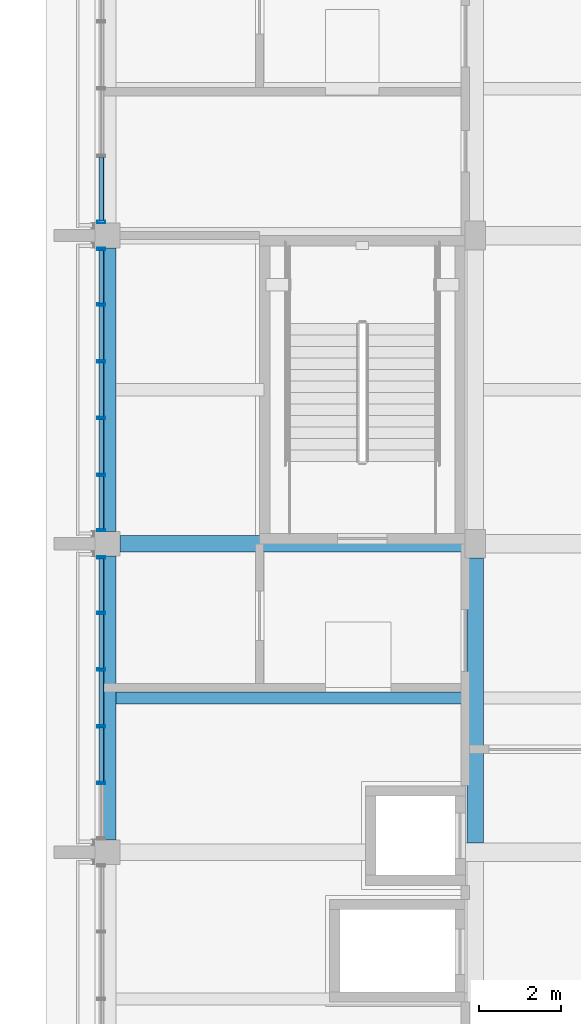
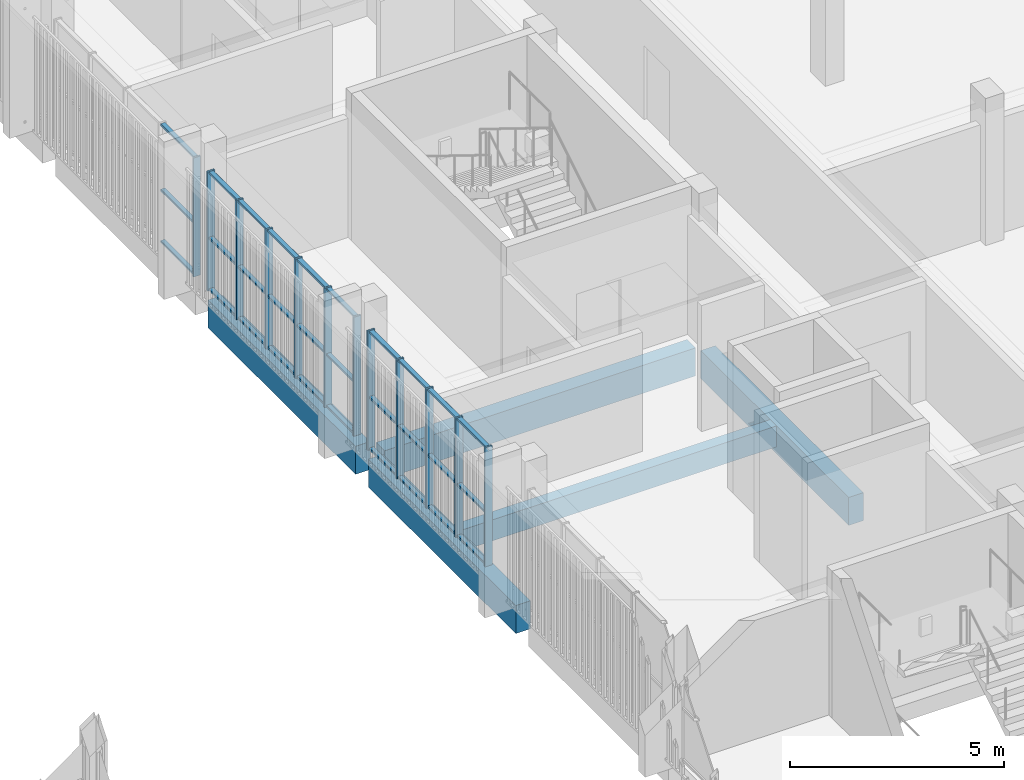
# One storey, part 32 of 92: 42 members, 5 beams, 3 elements without a shape of their own.
"""IFC4 building model written with IfcOpenShell, lengths in metres."""

from ifc_helpers import new_model, si_unit, direction, frame, origin, origin_2d, place, context, subcontext, project, spatial, rectangle, hollow_rectangle, extrude, material, material_profile, profile_set, type_object, element, aggregate, save


model = new_model("IFC4")

# Units and contexts
model_context = context("Model", 3, precision=1e-05, world=origin(), true_north=direction((0.0, 1.0)))
body_context = subcontext(model_context, "Body", "Model", "MODEL_VIEW")
ifc_project = project(units=[si_unit("LENGTHUNIT", "METRE"), si_unit("AREAUNIT", "SQUARE_METRE"), si_unit("VOLUMEUNIT", "CUBIC_METRE"), si_unit("PLANEANGLEUNIT", "RADIAN"), si_unit("MASSUNIT", "GRAM", prefix="KILO")], contexts=[model_context])

# Site, building, storey
site_placement = place(None, origin())
site = spatial("IfcSite", under=ifc_project, at=site_placement, CompositionType="ELEMENT")
building_placement = place(site_placement, origin())
building = spatial("IfcBuilding", under=site, at=building_placement, Name="Sun Court Science Centre", CompositionType="ELEMENT")
storey_placement = place(building_placement, frame((0.0, 0.0, 11.25)))
storey = spatial("IfcBuildingStorey", under=building, at=storey_placement, Name="L02", CompositionType="ELEMENT", Elevation=11.25)

# Curtain wall, members
ifc_material_1 = material(Name="Aluminium EN AW-6063 T6", Category="aluminium")
curtain_wall_type = type_object("IfcCurtainWallType", Name="Laboratory tall bay curtain wall 1500", PredefinedType="NOTDEFINED", material=ifc_material_1)
curtain_wall_1_placement = place(storey_placement, origin())
curtain_wall_1 = element("IfcCurtainWall", 1, at=curtain_wall_1_placement, inside=storey, type_object=curtain_wall_type, Name="Curtain wall V4 W L02 06", PredefinedType="NOTDEFINED")
ifc_material_2 = material(Name="Aluminium EN AW-6063 T6", Category="aluminium")
ifc_material_profile_1 = material_profile(ifc_material_2, hollow_rectangle(XDim=0.06005859375, YDim=0.199951171875, WallThickness=0.0048828125, InnerFilletRadius=0.0048828125, OuterFilletRadius=0.007568359375, at=origin_2d()), Name="AL 60x200x5")
ifc_profile_set_1 = profile_set([ifc_material_profile_1], Name="Aluminium EN AW-6063 T6")
member_type_1 = type_object("IfcMemberType", Name="Curtain wall mullion AL 60x200", PredefinedType="MULLION", material=ifc_profile_set_1)
member_1_placement = place(storey_placement, frame((78.14990234375, 52.679931640625, 0.0), z_axis=(0.0, 0.0, 1.0), x_axis=(0.0, 1.0, 0.0)))
member_1 = element("IfcMember", 2, at=member_1_placement, type_object=member_type_1, Name="CW2-24 mullion 2", PredefinedType="MULLION", context=body_context, shape_type="SweptSolid", body=[
    extrude(hollow_rectangle(XDim=0.06005859375, YDim=0.199951171875, WallThickness=0.0048828125, InnerFilletRadius=0.0048828125, OuterFilletRadius=0.007568359375, at=origin_2d()), origin(), (0.0, 0.0, 1.0), 3.39990234375),
])
member_2_placement = place(storey_placement, frame((78.14990234375, 54.06005859375, 0.0), z_axis=(0.0, 0.0, 1.0), x_axis=(0.0, 1.0, 0.0)))
member_2 = element("IfcMember", 3, at=member_2_placement, type_object=member_type_1, Name="CW2-24 mullion 3", PredefinedType="MULLION", context=body_context, shape_type="SweptSolid", body=[
    extrude(hollow_rectangle(XDim=0.06005859375, YDim=0.199951171875, WallThickness=0.0048828125, InnerFilletRadius=0.0048828125, OuterFilletRadius=0.007568359375, at=origin_2d()), origin(), (0.0, 0.0, 1.0), 3.39990234375),
])
member_3_placement = place(storey_placement, frame((78.14990234375, 55.43994140625, 0.0), z_axis=(0.0, 0.0, 1.0), x_axis=(0.0, 1.0, 0.0)))
member_3 = element("IfcMember", 4, at=member_3_placement, type_object=member_type_1, Name="CW2-24 mullion 4", PredefinedType="MULLION", context=body_context, shape_type="SweptSolid", body=[
    extrude(hollow_rectangle(XDim=0.06005859375, YDim=0.199951171875, WallThickness=0.0048828125, InnerFilletRadius=0.0048828125, OuterFilletRadius=0.007568359375, at=origin_2d()), origin(), (0.0, 0.0, 1.0), 3.39990234375),
])
member_4_placement = place(storey_placement, frame((78.14990234375, 56.820068359375, 0.0), z_axis=(0.0, 0.0, 1.0), x_axis=(0.0, 1.0, 0.0)))
member_4 = element("IfcMember", 5, at=member_4_placement, type_object=member_type_1, Name="CW2-24 mullion 5", PredefinedType="MULLION", context=body_context, shape_type="SweptSolid", body=[
    extrude(hollow_rectangle(XDim=0.06005859375, YDim=0.199951171875, WallThickness=0.0048828125, InnerFilletRadius=0.0048828125, OuterFilletRadius=0.007568359375, at=origin_2d()), origin(), (0.0, 0.0, 1.0), 3.39990234375),
])
member_5_placement = place(storey_placement, frame((78.14990234375, 58.169921875, 0.0), z_axis=(0.0, 0.0, 1.0), x_axis=(0.0, 1.0, 0.0)))
member_5 = element("IfcMember", 6, at=member_5_placement, type_object=member_type_1, Name="CW2-24 mullion 6", PredefinedType="MULLION", context=body_context, shape_type="SweptSolid", body=[
    extrude(hollow_rectangle(XDim=0.06005859375, YDim=0.199951171875, WallThickness=0.0048828125, InnerFilletRadius=0.0048828125, OuterFilletRadius=0.007568359375, at=origin_2d()), origin(), (0.0, 0.0, 1.0), 3.39990234375),
])

curtain_wall_2_placement = place(storey_placement, origin())
curtain_wall_2 = element("IfcCurtainWall", 7, at=curtain_wall_2_placement, inside=storey, type_object=curtain_wall_type, Name="Curtain wall V4 W L02 07", PredefinedType="NOTDEFINED")
member_6_placement = place(storey_placement, frame((78.14990234375, 58.830078125, 0.0), z_axis=(0.0, 0.0, 1.0), x_axis=(0.0, 1.0, 0.0)))
member_6 = element("IfcMember", 8, at=member_6_placement, type_object=member_type_1, Name="CW2-25 mullion 1", PredefinedType="MULLION", context=body_context, shape_type="SweptSolid", body=[
    extrude(hollow_rectangle(XDim=0.06005859375, YDim=0.199951171875, WallThickness=0.0048828125, InnerFilletRadius=0.0048828125, OuterFilletRadius=0.007568359375, at=origin_2d()), origin(), (0.0, 0.0, 1.0), 3.39990234375),
])
member_7_placement = place(storey_placement, frame((78.14990234375, 60.179931640625, 0.0), z_axis=(0.0, 0.0, 1.0), x_axis=(0.0, 1.0, 0.0)))
member_7 = element("IfcMember", 9, at=member_7_placement, type_object=member_type_1, Name="CW2-25 mullion 2", PredefinedType="MULLION", context=body_context, shape_type="SweptSolid", body=[
    extrude(hollow_rectangle(XDim=0.06005859375, YDim=0.199951171875, WallThickness=0.0048828125, InnerFilletRadius=0.0048828125, OuterFilletRadius=0.007568359375, at=origin_2d()), origin(), (0.0, 0.0, 1.0), 3.39990234375),
])
member_8_placement = place(storey_placement, frame((78.14990234375, 61.56005859375, 0.0), z_axis=(0.0, 0.0, 1.0), x_axis=(0.0, 1.0, 0.0)))
member_8 = element("IfcMember", 10, at=member_8_placement, type_object=member_type_1, Name="CW2-25 mullion 3", PredefinedType="MULLION", context=body_context, shape_type="SweptSolid", body=[
    extrude(hollow_rectangle(XDim=0.06005859375, YDim=0.199951171875, WallThickness=0.0048828125, InnerFilletRadius=0.0048828125, OuterFilletRadius=0.007568359375, at=origin_2d()), origin(), (0.0, 0.0, 1.0), 3.39990234375),
])
member_9_placement = place(storey_placement, frame((78.14990234375, 62.93994140625, 0.0), z_axis=(0.0, 0.0, 1.0), x_axis=(0.0, 1.0, 0.0)))
member_9 = element("IfcMember", 11, at=member_9_placement, type_object=member_type_1, Name="CW2-25 mullion 4", PredefinedType="MULLION", context=body_context, shape_type="SweptSolid", body=[
    extrude(hollow_rectangle(XDim=0.06005859375, YDim=0.199951171875, WallThickness=0.0048828125, InnerFilletRadius=0.0048828125, OuterFilletRadius=0.007568359375, at=origin_2d()), origin(), (0.0, 0.0, 1.0), 3.39990234375),
])
member_10_placement = place(storey_placement, frame((78.14990234375, 64.320068359375, 0.0), z_axis=(0.0, 0.0, 1.0), x_axis=(0.0, 1.0, 0.0)))
member_10 = element("IfcMember", 12, at=member_10_placement, type_object=member_type_1, Name="CW2-25 mullion 5", PredefinedType="MULLION", context=body_context, shape_type="SweptSolid", body=[
    extrude(hollow_rectangle(XDim=0.06005859375, YDim=0.199951171875, WallThickness=0.0048828125, InnerFilletRadius=0.0048828125, OuterFilletRadius=0.007568359375, at=origin_2d()), origin(), (0.0, 0.0, 1.0), 3.39990234375),
])
member_11_placement = place(storey_placement, frame((78.14990234375, 65.669921875, 0.0), z_axis=(0.0, 0.0, 1.0), x_axis=(0.0, 1.0, 0.0)))
member_11 = element("IfcMember", 13, at=member_11_placement, type_object=member_type_1, Name="CW2-25 mullion 6", PredefinedType="MULLION", context=body_context, shape_type="SweptSolid", body=[
    extrude(hollow_rectangle(XDim=0.06005859375, YDim=0.199951171875, WallThickness=0.0048828125, InnerFilletRadius=0.0048828125, OuterFilletRadius=0.007568359375, at=origin_2d()), origin(), (0.0, 0.0, 1.0), 3.39990234375),
])

# Curtain wall, member
curtain_wall_3_placement = place(storey_placement, origin())
curtain_wall_3 = element("IfcCurtainWall", 14, at=curtain_wall_3_placement, inside=storey, type_object=curtain_wall_type, Name="Curtain wall V4 W L02 08", PredefinedType="NOTDEFINED")
member_12_placement = place(storey_placement, frame((78.14990234375, 66.330078125, 0.0), z_axis=(0.0, 0.0, 1.0), x_axis=(0.0, 1.0, 0.0)))
member_12 = element("IfcMember", 15, at=member_12_placement, type_object=member_type_1, Name="CW2-26 mullion 1", PredefinedType="MULLION", context=body_context, shape_type="SweptSolid", body=[
    extrude(hollow_rectangle(XDim=0.06005859375, YDim=0.199951171875, WallThickness=0.0048828125, InnerFilletRadius=0.0048828125, OuterFilletRadius=0.007568359375, at=origin_2d()), origin(), (0.0, 0.0, 1.0), 3.39990234375),
])

# Member
ifc_material_3 = material(Name="Aluminium EN AW-6063 T6", Category="aluminium")
ifc_material_profile_2 = material_profile(ifc_material_3, hollow_rectangle(XDim=0.06005859375, YDim=0.1201171875, WallThickness=0.00390625, InnerFilletRadius=0.00390625, OuterFilletRadius=0.006103515625, at=origin_2d()), Name="AL 60x120x4")
ifc_profile_set_2 = profile_set([ifc_material_profile_2], Name="Aluminium EN AW-6063 T6")
member_type_2 = type_object("IfcMemberType", Name="Curtain wall transom AL 60x120", PredefinedType="USERDEFINED", material=ifc_profile_set_2)
member_13_placement = place(storey_placement, frame((78.14990234375, 52.7099609375, 0.030029296875), z_axis=(0.0, 1.0, 0.0), x_axis=(0.0, 0.0, 1.0)))
member_13 = element("IfcMember", 16, at=member_13_placement, type_object=member_type_2, Name="CW2-24 transom 2.1", ObjectType="TRANSOM", PredefinedType="USERDEFINED", context=body_context, shape_type="SweptSolid", body=[
    extrude(hollow_rectangle(XDim=0.06005859375, YDim=0.1201171875, WallThickness=0.00390625, InnerFilletRadius=0.00390625, OuterFilletRadius=0.006103515625, at=origin_2d()), origin(), (0.0, 0.0, 1.0), 1.320068359375),
])

member_14_placement = place(storey_placement, frame((78.14990234375, 54.090087890625, 0.030029296875), z_axis=(0.0, 1.0, 0.0), x_axis=(0.0, 0.0, 1.0)))
member_14 = element("IfcMember", 17, at=member_14_placement, type_object=member_type_2, Name="CW2-24 transom 3.1", ObjectType="TRANSOM", PredefinedType="USERDEFINED", context=body_context, shape_type="SweptSolid", body=[
    extrude(hollow_rectangle(XDim=0.06005859375, YDim=0.1201171875, WallThickness=0.00390625, InnerFilletRadius=0.00390625, OuterFilletRadius=0.006103515625, at=origin_2d()), origin(), (0.0, 0.0, 1.0), 1.31982421875),
])

member_15_placement = place(storey_placement, frame((78.14990234375, 55.469970703125, 0.030029296875), z_axis=(0.0, 1.0, 0.0), x_axis=(0.0, 0.0, 1.0)))
member_15 = element("IfcMember", 18, at=member_15_placement, type_object=member_type_2, Name="CW2-24 transom 4.1", ObjectType="TRANSOM", PredefinedType="USERDEFINED", context=body_context, shape_type="SweptSolid", body=[
    extrude(hollow_rectangle(XDim=0.06005859375, YDim=0.1201171875, WallThickness=0.00390625, InnerFilletRadius=0.00390625, OuterFilletRadius=0.006103515625, at=origin_2d()), origin(), (0.0, 0.0, 1.0), 1.320068359375),
])

member_16_placement = place(storey_placement, frame((78.14990234375, 56.85009765625, 0.030029296875), z_axis=(0.0, 1.0, 0.0), x_axis=(0.0, 0.0, 1.0)))
member_16 = element("IfcMember", 19, at=member_16_placement, type_object=member_type_2, Name="CW2-24 transom 5.1", ObjectType="TRANSOM", PredefinedType="USERDEFINED", context=body_context, shape_type="SweptSolid", body=[
    extrude(hollow_rectangle(XDim=0.06005859375, YDim=0.1201171875, WallThickness=0.00390625, InnerFilletRadius=0.00390625, OuterFilletRadius=0.006103515625, at=origin_2d()), origin(), (0.0, 0.0, 1.0), 1.289794921875),
])

member_17_placement = place(storey_placement, frame((78.14990234375, 52.7099609375, 1.5), z_axis=(0.0, 1.0, 0.0), x_axis=(0.0, 0.0, 1.0)))
member_17 = element("IfcMember", 20, at=member_17_placement, type_object=member_type_2, Name="CW2-24 transom 2.2", ObjectType="TRANSOM", PredefinedType="USERDEFINED", context=body_context, shape_type="SweptSolid", body=[
    extrude(hollow_rectangle(XDim=0.06005859375, YDim=0.1201171875, WallThickness=0.00390625, InnerFilletRadius=0.00390625, OuterFilletRadius=0.006103515625, at=origin_2d()), origin(), (0.0, 0.0, 1.0), 1.320068359375),
])

member_18_placement = place(storey_placement, frame((78.14990234375, 54.090087890625, 1.5), z_axis=(0.0, 1.0, 0.0), x_axis=(0.0, 0.0, 1.0)))
member_18 = element("IfcMember", 21, at=member_18_placement, type_object=member_type_2, Name="CW2-24 transom 3.2", ObjectType="TRANSOM", PredefinedType="USERDEFINED", context=body_context, shape_type="SweptSolid", body=[
    extrude(hollow_rectangle(XDim=0.06005859375, YDim=0.1201171875, WallThickness=0.00390625, InnerFilletRadius=0.00390625, OuterFilletRadius=0.006103515625, at=origin_2d()), origin(), (0.0, 0.0, 1.0), 1.31982421875),
])

member_19_placement = place(storey_placement, frame((78.14990234375, 55.469970703125, 1.5), z_axis=(0.0, 1.0, 0.0), x_axis=(0.0, 0.0, 1.0)))
member_19 = element("IfcMember", 22, at=member_19_placement, type_object=member_type_2, Name="CW2-24 transom 4.2", ObjectType="TRANSOM", PredefinedType="USERDEFINED", context=body_context, shape_type="SweptSolid", body=[
    extrude(hollow_rectangle(XDim=0.06005859375, YDim=0.1201171875, WallThickness=0.00390625, InnerFilletRadius=0.00390625, OuterFilletRadius=0.006103515625, at=origin_2d()), origin(), (0.0, 0.0, 1.0), 1.320068359375),
])

member_20_placement = place(storey_placement, frame((78.14990234375, 56.85009765625, 1.5), z_axis=(0.0, 1.0, 0.0), x_axis=(0.0, 0.0, 1.0)))
member_20 = element("IfcMember", 23, at=member_20_placement, type_object=member_type_2, Name="CW2-24 transom 5.2", ObjectType="TRANSOM", PredefinedType="USERDEFINED", context=body_context, shape_type="SweptSolid", body=[
    extrude(hollow_rectangle(XDim=0.06005859375, YDim=0.1201171875, WallThickness=0.00390625, InnerFilletRadius=0.00390625, OuterFilletRadius=0.006103515625, at=origin_2d()), origin(), (0.0, 0.0, 1.0), 1.289794921875),
])

member_21_placement = place(storey_placement, frame((78.14990234375, 52.7099609375, 3.3701171875), z_axis=(0.0, 1.0, 0.0), x_axis=(0.0, 0.0, 1.0)))
member_21 = element("IfcMember", 24, at=member_21_placement, type_object=member_type_2, Name="CW2-24 transom 2.3", ObjectType="TRANSOM", PredefinedType="USERDEFINED", context=body_context, shape_type="SweptSolid", body=[
    extrude(hollow_rectangle(XDim=0.06005859375, YDim=0.1201171875, WallThickness=0.00390625, InnerFilletRadius=0.00390625, OuterFilletRadius=0.006103515625, at=origin_2d()), origin(), (0.0, 0.0, 1.0), 1.320068359375),
])

member_22_placement = place(storey_placement, frame((78.14990234375, 54.090087890625, 3.3701171875), z_axis=(0.0, 1.0, 0.0), x_axis=(0.0, 0.0, 1.0)))
member_22 = element("IfcMember", 25, at=member_22_placement, type_object=member_type_2, Name="CW2-24 transom 3.3", ObjectType="TRANSOM", PredefinedType="USERDEFINED", context=body_context, shape_type="SweptSolid", body=[
    extrude(hollow_rectangle(XDim=0.06005859375, YDim=0.1201171875, WallThickness=0.00390625, InnerFilletRadius=0.00390625, OuterFilletRadius=0.006103515625, at=origin_2d()), origin(), (0.0, 0.0, 1.0), 1.31982421875),
])

member_23_placement = place(storey_placement, frame((78.14990234375, 55.469970703125, 3.3701171875), z_axis=(0.0, 1.0, 0.0), x_axis=(0.0, 0.0, 1.0)))
member_23 = element("IfcMember", 26, at=member_23_placement, type_object=member_type_2, Name="CW2-24 transom 4.3", ObjectType="TRANSOM", PredefinedType="USERDEFINED", context=body_context, shape_type="SweptSolid", body=[
    extrude(hollow_rectangle(XDim=0.06005859375, YDim=0.1201171875, WallThickness=0.00390625, InnerFilletRadius=0.00390625, OuterFilletRadius=0.006103515625, at=origin_2d()), origin(), (0.0, 0.0, 1.0), 1.320068359375),
])

member_24_placement = place(storey_placement, frame((78.14990234375, 56.85009765625, 3.3701171875), z_axis=(0.0, 1.0, 0.0), x_axis=(0.0, 0.0, 1.0)))
member_24 = element("IfcMember", 27, at=member_24_placement, type_object=member_type_2, Name="CW2-24 transom 5.3", ObjectType="TRANSOM", PredefinedType="USERDEFINED", context=body_context, shape_type="SweptSolid", body=[
    extrude(hollow_rectangle(XDim=0.06005859375, YDim=0.1201171875, WallThickness=0.00390625, InnerFilletRadius=0.00390625, OuterFilletRadius=0.006103515625, at=origin_2d()), origin(), (0.0, 0.0, 1.0), 1.289794921875),
])

aggregate(curtain_wall_1, [member_1, member_2, member_3, member_4, member_5, member_13, member_14, member_15, member_16, member_17, member_18, member_19, member_20, member_21, member_22, member_23, member_24])

member_25_placement = place(storey_placement, frame((78.14990234375, 58.860107421875, 0.030029296875), z_axis=(0.0, 1.0, 0.0), x_axis=(0.0, 0.0, 1.0)))
member_25 = element("IfcMember", 28, at=member_25_placement, type_object=member_type_2, Name="CW2-25 transom 1.1", ObjectType="TRANSOM", PredefinedType="USERDEFINED", context=body_context, shape_type="SweptSolid", body=[
    extrude(hollow_rectangle(XDim=0.06005859375, YDim=0.1201171875, WallThickness=0.00390625, InnerFilletRadius=0.00390625, OuterFilletRadius=0.006103515625, at=origin_2d()), origin(), (0.0, 0.0, 1.0), 1.289794921875),
])

member_26_placement = place(storey_placement, frame((78.14990234375, 60.2099609375, 0.030029296875), z_axis=(0.0, 1.0, 0.0), x_axis=(0.0, 0.0, 1.0)))
member_26 = element("IfcMember", 29, at=member_26_placement, type_object=member_type_2, Name="CW2-25 transom 2.1", ObjectType="TRANSOM", PredefinedType="USERDEFINED", context=body_context, shape_type="SweptSolid", body=[
    extrude(hollow_rectangle(XDim=0.06005859375, YDim=0.1201171875, WallThickness=0.00390625, InnerFilletRadius=0.00390625, OuterFilletRadius=0.006103515625, at=origin_2d()), origin(), (0.0, 0.0, 1.0), 1.320068359375),
])

member_27_placement = place(storey_placement, frame((78.14990234375, 61.590087890625, 0.030029296875), z_axis=(0.0, 1.0, 0.0), x_axis=(0.0, 0.0, 1.0)))
member_27 = element("IfcMember", 30, at=member_27_placement, type_object=member_type_2, Name="CW2-25 transom 3.1", ObjectType="TRANSOM", PredefinedType="USERDEFINED", context=body_context, shape_type="SweptSolid", body=[
    extrude(hollow_rectangle(XDim=0.06005859375, YDim=0.1201171875, WallThickness=0.00390625, InnerFilletRadius=0.00390625, OuterFilletRadius=0.006103515625, at=origin_2d()), origin(), (0.0, 0.0, 1.0), 1.31982421875),
])

member_28_placement = place(storey_placement, frame((78.14990234375, 62.969970703125, 0.030029296875), z_axis=(0.0, 1.0, 0.0), x_axis=(0.0, 0.0, 1.0)))
member_28 = element("IfcMember", 31, at=member_28_placement, type_object=member_type_2, Name="CW2-25 transom 4.1", ObjectType="TRANSOM", PredefinedType="USERDEFINED", context=body_context, shape_type="SweptSolid", body=[
    extrude(hollow_rectangle(XDim=0.06005859375, YDim=0.1201171875, WallThickness=0.00390625, InnerFilletRadius=0.00390625, OuterFilletRadius=0.006103515625, at=origin_2d()), origin(), (0.0, 0.0, 1.0), 1.320068359375),
])

member_29_placement = place(storey_placement, frame((78.14990234375, 64.35009765625, 0.030029296875), z_axis=(0.0, 1.0, 0.0), x_axis=(0.0, 0.0, 1.0)))
member_29 = element("IfcMember", 32, at=member_29_placement, type_object=member_type_2, Name="CW2-25 transom 5.1", ObjectType="TRANSOM", PredefinedType="USERDEFINED", context=body_context, shape_type="SweptSolid", body=[
    extrude(hollow_rectangle(XDim=0.06005859375, YDim=0.1201171875, WallThickness=0.00390625, InnerFilletRadius=0.00390625, OuterFilletRadius=0.006103515625, at=origin_2d()), origin(), (0.0, 0.0, 1.0), 1.289794921875),
])

member_30_placement = place(storey_placement, frame((78.14990234375, 58.860107421875, 1.5), z_axis=(0.0, 1.0, 0.0), x_axis=(0.0, 0.0, 1.0)))
member_30 = element("IfcMember", 33, at=member_30_placement, type_object=member_type_2, Name="CW2-25 transom 1.2", ObjectType="TRANSOM", PredefinedType="USERDEFINED", context=body_context, shape_type="SweptSolid", body=[
    extrude(hollow_rectangle(XDim=0.06005859375, YDim=0.1201171875, WallThickness=0.00390625, InnerFilletRadius=0.00390625, OuterFilletRadius=0.006103515625, at=origin_2d()), origin(), (0.0, 0.0, 1.0), 1.289794921875),
])

member_31_placement = place(storey_placement, frame((78.14990234375, 60.2099609375, 1.5), z_axis=(0.0, 1.0, 0.0), x_axis=(0.0, 0.0, 1.0)))
member_31 = element("IfcMember", 34, at=member_31_placement, type_object=member_type_2, Name="CW2-25 transom 2.2", ObjectType="TRANSOM", PredefinedType="USERDEFINED", context=body_context, shape_type="SweptSolid", body=[
    extrude(hollow_rectangle(XDim=0.06005859375, YDim=0.1201171875, WallThickness=0.00390625, InnerFilletRadius=0.00390625, OuterFilletRadius=0.006103515625, at=origin_2d()), origin(), (0.0, 0.0, 1.0), 1.320068359375),
])

member_32_placement = place(storey_placement, frame((78.14990234375, 61.590087890625, 1.5), z_axis=(0.0, 1.0, 0.0), x_axis=(0.0, 0.0, 1.0)))
member_32 = element("IfcMember", 35, at=member_32_placement, type_object=member_type_2, Name="CW2-25 transom 3.2", ObjectType="TRANSOM", PredefinedType="USERDEFINED", context=body_context, shape_type="SweptSolid", body=[
    extrude(hollow_rectangle(XDim=0.06005859375, YDim=0.1201171875, WallThickness=0.00390625, InnerFilletRadius=0.00390625, OuterFilletRadius=0.006103515625, at=origin_2d()), origin(), (0.0, 0.0, 1.0), 1.31982421875),
])

member_33_placement = place(storey_placement, frame((78.14990234375, 62.969970703125, 1.5), z_axis=(0.0, 1.0, 0.0), x_axis=(0.0, 0.0, 1.0)))
member_33 = element("IfcMember", 36, at=member_33_placement, type_object=member_type_2, Name="CW2-25 transom 4.2", ObjectType="TRANSOM", PredefinedType="USERDEFINED", context=body_context, shape_type="SweptSolid", body=[
    extrude(hollow_rectangle(XDim=0.06005859375, YDim=0.1201171875, WallThickness=0.00390625, InnerFilletRadius=0.00390625, OuterFilletRadius=0.006103515625, at=origin_2d()), origin(), (0.0, 0.0, 1.0), 1.320068359375),
])

member_34_placement = place(storey_placement, frame((78.14990234375, 64.35009765625, 1.5), z_axis=(0.0, 1.0, 0.0), x_axis=(0.0, 0.0, 1.0)))
member_34 = element("IfcMember", 37, at=member_34_placement, type_object=member_type_2, Name="CW2-25 transom 5.2", ObjectType="TRANSOM", PredefinedType="USERDEFINED", context=body_context, shape_type="SweptSolid", body=[
    extrude(hollow_rectangle(XDim=0.06005859375, YDim=0.1201171875, WallThickness=0.00390625, InnerFilletRadius=0.00390625, OuterFilletRadius=0.006103515625, at=origin_2d()), origin(), (0.0, 0.0, 1.0), 1.289794921875),
])

member_35_placement = place(storey_placement, frame((78.14990234375, 58.860107421875, 3.3701171875), z_axis=(0.0, 1.0, 0.0), x_axis=(0.0, 0.0, 1.0)))
member_35 = element("IfcMember", 38, at=member_35_placement, type_object=member_type_2, Name="CW2-25 transom 1.3", ObjectType="TRANSOM", PredefinedType="USERDEFINED", context=body_context, shape_type="SweptSolid", body=[
    extrude(hollow_rectangle(XDim=0.06005859375, YDim=0.1201171875, WallThickness=0.00390625, InnerFilletRadius=0.00390625, OuterFilletRadius=0.006103515625, at=origin_2d()), origin(), (0.0, 0.0, 1.0), 1.289794921875),
])

member_36_placement = place(storey_placement, frame((78.14990234375, 60.2099609375, 3.3701171875), z_axis=(0.0, 1.0, 0.0), x_axis=(0.0, 0.0, 1.0)))
member_36 = element("IfcMember", 39, at=member_36_placement, type_object=member_type_2, Name="CW2-25 transom 2.3", ObjectType="TRANSOM", PredefinedType="USERDEFINED", context=body_context, shape_type="SweptSolid", body=[
    extrude(hollow_rectangle(XDim=0.06005859375, YDim=0.1201171875, WallThickness=0.00390625, InnerFilletRadius=0.00390625, OuterFilletRadius=0.006103515625, at=origin_2d()), origin(), (0.0, 0.0, 1.0), 1.320068359375),
])

member_37_placement = place(storey_placement, frame((78.14990234375, 61.590087890625, 3.3701171875), z_axis=(0.0, 1.0, 0.0), x_axis=(0.0, 0.0, 1.0)))
member_37 = element("IfcMember", 40, at=member_37_placement, type_object=member_type_2, Name="CW2-25 transom 3.3", ObjectType="TRANSOM", PredefinedType="USERDEFINED", context=body_context, shape_type="SweptSolid", body=[
    extrude(hollow_rectangle(XDim=0.06005859375, YDim=0.1201171875, WallThickness=0.00390625, InnerFilletRadius=0.00390625, OuterFilletRadius=0.006103515625, at=origin_2d()), origin(), (0.0, 0.0, 1.0), 1.31982421875),
])

member_38_placement = place(storey_placement, frame((78.14990234375, 62.969970703125, 3.3701171875), z_axis=(0.0, 1.0, 0.0), x_axis=(0.0, 0.0, 1.0)))
member_38 = element("IfcMember", 41, at=member_38_placement, type_object=member_type_2, Name="CW2-25 transom 4.3", ObjectType="TRANSOM", PredefinedType="USERDEFINED", context=body_context, shape_type="SweptSolid", body=[
    extrude(hollow_rectangle(XDim=0.06005859375, YDim=0.1201171875, WallThickness=0.00390625, InnerFilletRadius=0.00390625, OuterFilletRadius=0.006103515625, at=origin_2d()), origin(), (0.0, 0.0, 1.0), 1.320068359375),
])

member_39_placement = place(storey_placement, frame((78.14990234375, 64.35009765625, 3.3701171875), z_axis=(0.0, 1.0, 0.0), x_axis=(0.0, 0.0, 1.0)))
member_39 = element("IfcMember", 42, at=member_39_placement, type_object=member_type_2, Name="CW2-25 transom 5.3", ObjectType="TRANSOM", PredefinedType="USERDEFINED", context=body_context, shape_type="SweptSolid", body=[
    extrude(hollow_rectangle(XDim=0.06005859375, YDim=0.1201171875, WallThickness=0.00390625, InnerFilletRadius=0.00390625, OuterFilletRadius=0.006103515625, at=origin_2d()), origin(), (0.0, 0.0, 1.0), 1.289794921875),
])

aggregate(curtain_wall_2, [member_6, member_7, member_8, member_9, member_10, member_11, member_25, member_26, member_27, member_28, member_29, member_30, member_31, member_32, member_33, member_34, member_35, member_36, member_37, member_38, member_39])

member_40_placement = place(storey_placement, frame((78.14990234375, 66.360107421875, 0.030029296875), z_axis=(0.0, 1.0, 0.0), x_axis=(0.0, 0.0, 1.0)))
member_40 = element("IfcMember", 43, at=member_40_placement, type_object=member_type_2, Name="CW2-26 transom 1.1", ObjectType="TRANSOM", PredefinedType="USERDEFINED", context=body_context, shape_type="SweptSolid", body=[
    extrude(hollow_rectangle(XDim=0.06005859375, YDim=0.1201171875, WallThickness=0.00390625, InnerFilletRadius=0.00390625, OuterFilletRadius=0.006103515625, at=origin_2d()), origin(), (0.0, 0.0, 1.0), 1.54736328125),
])

member_41_placement = place(storey_placement, frame((78.14990234375, 66.360107421875, 1.5), z_axis=(0.0, 1.0, 0.0), x_axis=(0.0, 0.0, 1.0)))
member_41 = element("IfcMember", 44, at=member_41_placement, type_object=member_type_2, Name="CW2-26 transom 1.2", ObjectType="TRANSOM", PredefinedType="USERDEFINED", context=body_context, shape_type="SweptSolid", body=[
    extrude(hollow_rectangle(XDim=0.06005859375, YDim=0.1201171875, WallThickness=0.00390625, InnerFilletRadius=0.00390625, OuterFilletRadius=0.006103515625, at=origin_2d()), origin(), (0.0, 0.0, 1.0), 1.54736328125),
])

member_42_placement = place(storey_placement, frame((78.14990234375, 66.360107421875, 3.3701171875), z_axis=(0.0, 1.0, 0.0), x_axis=(0.0, 0.0, 1.0)))
member_42 = element("IfcMember", 45, at=member_42_placement, type_object=member_type_2, Name="CW2-26 transom 1.3", ObjectType="TRANSOM", PredefinedType="USERDEFINED", context=body_context, shape_type="SweptSolid", body=[
    extrude(hollow_rectangle(XDim=0.06005859375, YDim=0.1201171875, WallThickness=0.00390625, InnerFilletRadius=0.00390625, OuterFilletRadius=0.006103515625, at=origin_2d()), origin(), (0.0, 0.0, 1.0), 1.54736328125),
])

aggregate(curtain_wall_3, [member_12, member_40, member_41, member_42])

# Beams
ifc_material_4 = material(Name="Concrete C25/30", Category="concrete")
ifc_material_profile_3 = material_profile(ifc_material_4, rectangle(XDim=0.39990234375, YDim=0.800048828125, at=origin_2d()), Name="RC 400x800")
ifc_profile_set_3 = profile_set([ifc_material_profile_3], Name="Concrete C25/30")
beam_type_1 = type_object("IfcBeamType", Name="RC girder 400x800", PredefinedType="BEAM", material=ifc_profile_set_3)
beam_1_placement = place(storey_placement, frame((78.60009765625, 58.5, -0.699951171875), z_axis=(1.0, 0.0, 0.0), x_axis=(0.0, 1.0, 0.0)))
element("IfcBeam", 46, at=beam_1_placement, inside=storey, type_object=beam_type_1, Name="Girder L02 row 8", PredefinedType="BEAM", context=body_context, shape_type="SweptSolid", body=[
    extrude(rectangle(XDim=0.39990234375, YDim=0.800048828125, at=origin_2d()), origin(), (0.0, 0.0, 1.0), 8.39990234375),
])
for number, where, z_axis, x_axis, name in (
    (47, (78.300048828125, 51.300048828125, -0.699951171875), (0.0, 1.0, 0.0), (-1.0, 0.0, 0.0), "Girder L02 line 1"),
    (48, (78.300048828125, 58.800048828125, -0.699951171875), (0.0, 1.0, 0.0), (-1.0, 0.0, 0.0), "Girder L02 line 1"),
):
    element("IfcBeam", number, at=place(storey_placement, frame(where, z_axis=z_axis, x_axis=x_axis)), inside=storey, type_object=beam_type_1, Name=name, PredefinedType="BEAM", context=body_context, shape_type="SweptSolid", body=[
        extrude(rectangle(XDim=0.39990234375, YDim=0.800048828125, at=origin_2d()), origin(), (0.0, 0.0, 1.0), 6.89990234375),
    ])
beam_2_placement = place(storey_placement, frame((87.25, 51.22509765625, -0.699951171875), z_axis=(0.0, 1.0, 0.0), x_axis=(-1.0, 0.0, 0.0)))
element("IfcBeam", 49, at=beam_2_placement, inside=storey, type_object=beam_type_1, Name="Girder L02 line 2", PredefinedType="BEAM", context=body_context, shape_type="SweptSolid", body=[
    extrude(rectangle(XDim=0.39990234375, YDim=0.800048828125, at=origin_2d()), origin(), (0.0, 0.0, 1.0), 6.9248046875),
])
ifc_material_5 = material(Name="Concrete C25/30", Category="concrete")
ifc_material_profile_4 = material_profile(ifc_material_5, rectangle(XDim=0.300048828125, YDim=0.60009765625, at=origin_2d()), Name="RC 300x600")
ifc_profile_set_4 = profile_set([ifc_material_profile_4], Name="Concrete C25/30")
beam_type_2 = type_object("IfcBeamType", Name="RC joist 300x600", PredefinedType="JOIST", material=ifc_profile_set_4)
beam_3_placement = place(storey_placement, frame((78.5, 54.75, -0.60009765625), z_axis=(1.0, 0.0, 0.0), x_axis=(0.0, 1.0, 0.0)))
element("IfcBeam", 50, at=beam_3_placement, inside=storey, type_object=beam_type_2, Name="Joist L02", PredefinedType="JOIST", context=body_context, shape_type="SweptSolid", body=[
    extrude(rectangle(XDim=0.300048828125, YDim=0.60009765625, at=origin_2d()), origin(), (0.0, 0.0, 1.0), 8.550048828125),
])

save(model, "model.ifc")
